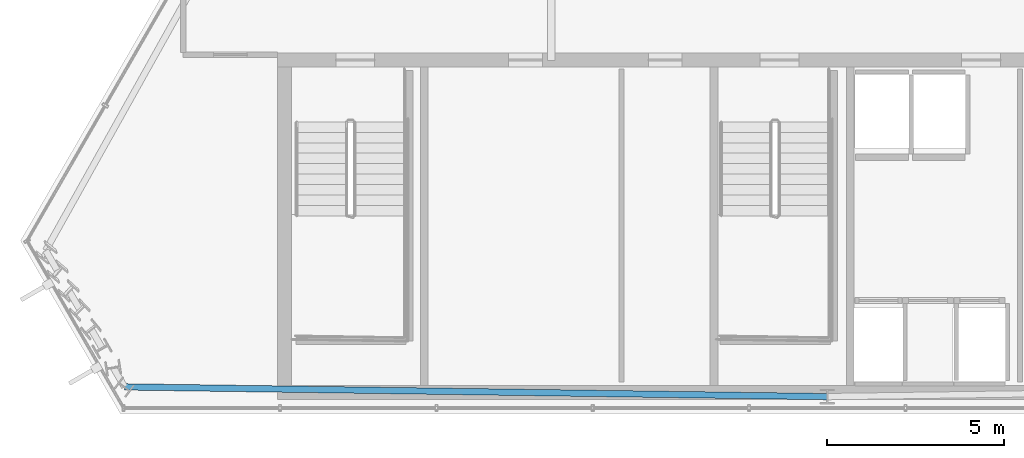
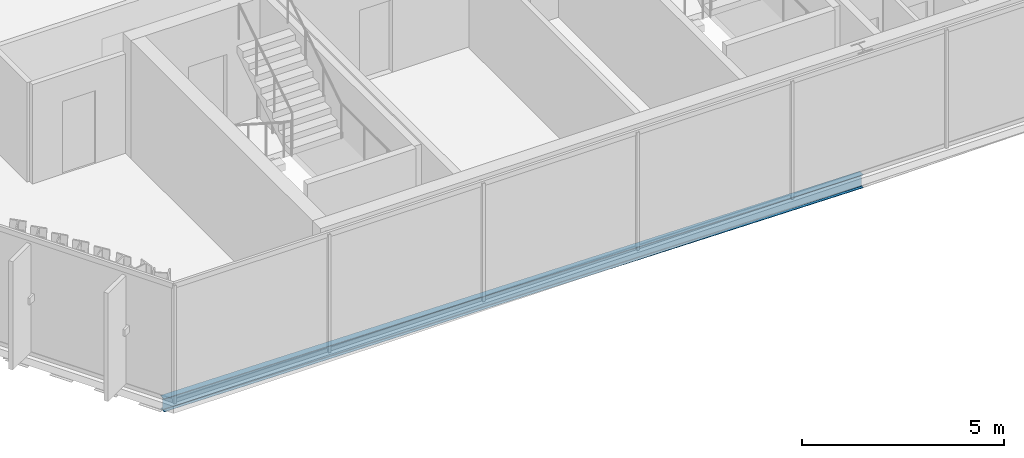
# One storey, part 4 of 34: 1 beam.
"""IFC4 building model written with IfcOpenShell, lengths in metres."""

from ifc_helpers import new_model, si_unit, direction, frame, origin, origin_2d, place, context, subcontext, project, spatial, i_section, extrude, material, material_profile, profile_set, type_object, element, save


model = new_model("IFC4")

# Units and contexts
model_context = context("Model", 3, precision=1e-05, world=origin(), true_north=direction((0.0, 1.0)))
body_context = subcontext(model_context, "Body", "Model", "MODEL_VIEW")
ifc_project = project(units=[si_unit("LENGTHUNIT", "METRE"), si_unit("AREAUNIT", "SQUARE_METRE"), si_unit("VOLUMEUNIT", "CUBIC_METRE"), si_unit("PLANEANGLEUNIT", "RADIAN"), si_unit("MASSUNIT", "GRAM", prefix="KILO")], contexts=[model_context])

# Site, building, storey
site_placement = place(None, origin())
site = spatial("IfcSite", under=ifc_project, at=site_placement, CompositionType="ELEMENT")
building_placement = place(site_placement, origin())
building = spatial("IfcBuilding", under=site, at=building_placement, Name="Ndaravel Arena Tower", CompositionType="ELEMENT")
storey_placement = place(building_placement, frame((0.0, 0.0, 267.39990234375)))
storey = spatial("IfcBuildingStorey", under=building, at=storey_placement, Name="L65", CompositionType="ELEMENT", Elevation=267.39990234375)

# Beam
ifc_material = material(Name="Steel S355", Category="steel")
ifc_material_profile = material_profile(ifc_material, i_section(OverallWidth=0.179931640625, OverallDepth=0.39990234375, WebThickness=0.008544921875, FlangeThickness=0.013427734375, FilletRadius=0.02099609375, at=origin_2d()), Name="IPE 400")
ifc_profile_set = profile_set([ifc_material_profile], Name="Steel S355")
beam_type = type_object("IfcBeamType", Name="BM-SPAN-IPE400", PredefinedType="SPANDREL", material=ifc_profile_set)
beam_placement = place(storey_placement, frame((22.12451171875, 5.755615234375, -0.419921875), z_axis=(0.999903852114, -0.013866741789, 0.0), x_axis=(0.013866741789, 0.999903852114, 0.0)))
element("IfcBeam", 1, at=beam_placement, inside=storey, type_object=beam_type, Name="L65 Perimeter Spandrel Beam SP-27", PredefinedType="SPANDREL", context=body_context, shape_type="SweptSolid", body=[
    extrude(i_section(OverallWidth=0.179931640625, OverallDepth=0.39990234375, WebThickness=0.008544921875, FlangeThickness=0.013427734375, FilletRadius=0.02099609375, at=origin_2d()), origin(), (0.0, 0.0, 1.0), 19.87744140625),
])

save(model, "model.ifc")
